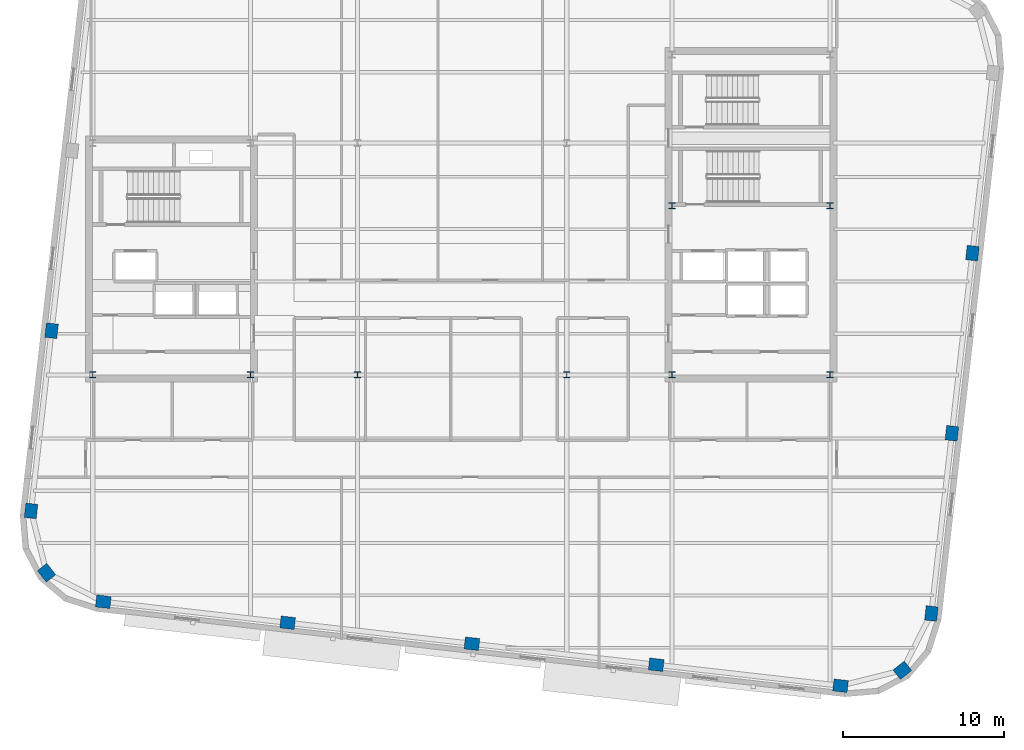
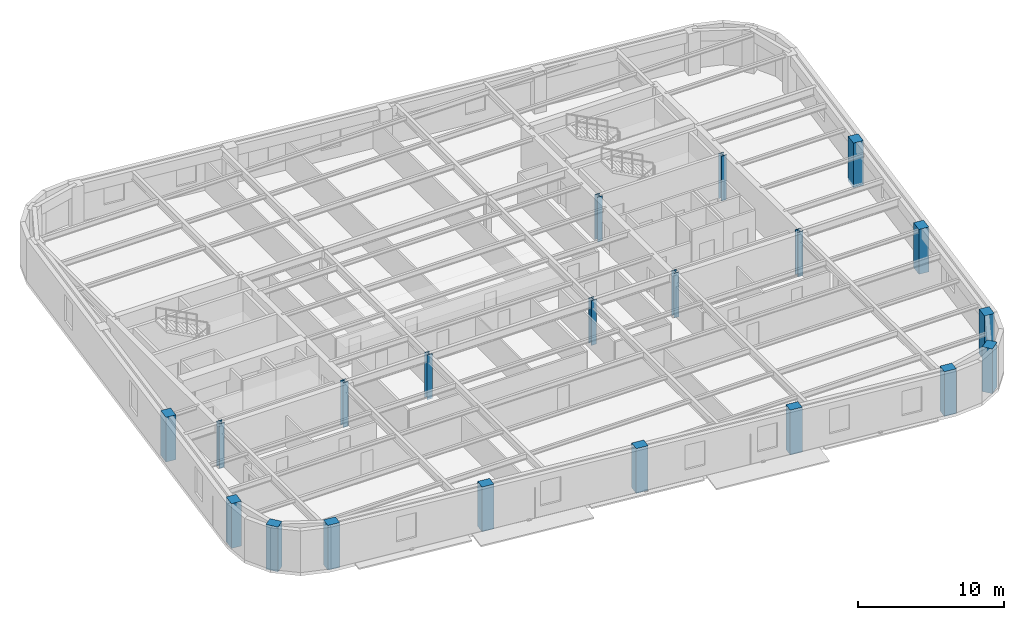
# One storey, part 1 of 13: 20 columns.
"""IFC4 building model written with IfcOpenShell, lengths in metres."""

from ifc_helpers import new_model, si_unit, direction, frame, origin, origin_2d, place, context, subcontext, project, spatial, rectangle, i_section, extrude, material, material_profile, profile_set, type_object, element, save


model = new_model("IFC4")

# Units and contexts
model_context = context("Model", 3, precision=1e-05, world=origin(), true_north=direction((0.0, 1.0)))
body_context = subcontext(model_context, "Body", "Model", "MODEL_VIEW")
ifc_project = project(units=[si_unit("LENGTHUNIT", "METRE"), si_unit("AREAUNIT", "SQUARE_METRE"), si_unit("VOLUMEUNIT", "CUBIC_METRE"), si_unit("PLANEANGLEUNIT", "RADIAN"), si_unit("MASSUNIT", "GRAM", prefix="KILO")], contexts=[model_context])

# Site, building, storey
site_placement = place(None, origin())
site = spatial("IfcSite", under=ifc_project, at=site_placement, CompositionType="ELEMENT")
building_placement = place(site_placement, origin())
building = spatial("IfcBuilding", under=site, at=building_placement, Name="Kolvaren Arena Tower", CompositionType="ELEMENT")
storey_placement = place(building_placement, frame((0.0, 0.0, 243.449951171875)))
storey = spatial("IfcBuildingStorey", under=building, at=storey_placement, Name="L59", CompositionType="ELEMENT", Elevation=243.449951171875)

# Columns
ifc_material_1 = material(Name="Precast concrete C55/67", Category="concrete")
ifc_material_profile_1 = material_profile(ifc_material_1, rectangle(XDim=0.89990234375, YDim=0.75, at=origin_2d()), Name="RC-900x750")
ifc_profile_set_1 = profile_set([ifc_material_profile_1], Name="Precast concrete C55/67")
column_type_1 = type_object("IfcColumnType", Name="EXCOL-Z4", PredefinedType="COLUMN", material=ifc_profile_set_1)
for number, where, z_axis, x_axis, name in (
    (1, (15.207763671875, 5.350830078125, -0.27001953125), (0.0, 0.0, 1.0), (0.993571855677, -0.113203213768, 0.0), "Exoskeleton Perimeter Column 01 (L59)"),
    (2, (26.65869140625, 4.046142578125, -0.27001953125), (0.0, 0.0, 1.0), (0.993571855677, -0.113203213768, 0.0), "Exoskeleton Perimeter Column 02 (L59)"),
    (3, (38.109619140625, 2.741455078125, -0.27001953125), (0.0, 0.0, 1.0), (0.993571855677, -0.113203213768, 0.0), "Exoskeleton Perimeter Column 03 (L59)"),
    (4, (49.560302734375, 1.436767578125, -0.27001953125), (0.0, 0.0, 1.0), (0.993571855677, -0.113203213768, 0.0), "Exoskeleton Perimeter Column 04 (L59)"),
    (5, (61.011474609375, 0.132080078125, -0.27001953125), (0.0, 0.0, 1.0), (0.993571855677, -0.113203213768, 0.0), "Exoskeleton Perimeter Column 05 (L59)"),
    (6, (64.853759765625, 1.094482421875, -0.27001953125), (0.0, 0.0, 1.0), (0.782608156852, 0.622514636638, 0.0), "Exoskeleton Perimeter Column 06 (L59)"),
    (7, (66.656005859375, 4.6220703125, -0.27001953125), (0.0, 0.0, 1.0), (0.113203213768, 0.993571855677, 0.0), "Exoskeleton Perimeter Column 07 (L59)"),
    (8, (67.931396484375, 15.816162109375, -0.27001953125), (0.0, 0.0, 1.0), (0.113203213768, 0.993571855677, 0.0), "Exoskeleton Perimeter Column 08 (L59)"),
    (9, (69.206787109375, 27.010498046875, -0.27001953125), (0.0, 0.0, 1.0), (0.113203213768, 0.993571855677, 0.0), "Exoskeleton Perimeter Column 09 (L59)"),
    (10, (11.9931640625, 22.189453125, -0.27001953125), (0.0, 0.0, 1.0), (0.113203213768, 0.993571855677, 0.0), "Exoskeleton Perimeter Column 20 (L59)"),
    (11, (10.7177734375, 10.995361328125, -0.27001953125), (0.0, 0.0, 1.0), (0.113203213768, 0.993571855677, 0.0), "Exoskeleton Perimeter Column 21 (L59)"),
    (12, (11.680419921875, 7.15283203125, -0.27001953125), (0.0, 0.0, 1.0), (-0.622514636638, 0.782608156852, 0.0), "Exoskeleton Perimeter Column 22 (L59)"),
):
    element("IfcColumn", number, at=place(storey_placement, frame(where, z_axis=z_axis, x_axis=x_axis)), inside=storey, type_object=column_type_1, Name=name, PredefinedType="COLUMN", context=body_context, shape_type="SweptSolid", body=[
        extrude(rectangle(XDim=0.89990234375, YDim=0.75, at=origin_2d()), origin(), (0.0, 0.0, 1.0), 3.75),
    ])
ifc_material_2 = material(Name="Steel ASTM A913 Grade 65", Category="steel")
ifc_material_profile_2 = material_profile(ifc_material_2, i_section(OverallWidth=0.39892578125, OverallDepth=0.39306640625, WebThickness=0.022705078125, FlangeThickness=0.03662109375, FilletRadius=0.02001953125, at=origin_2d()), Name="W360x287")
ifc_profile_set_2 = profile_set([ifc_material_profile_2], Name="Steel ASTM A913 Grade 65")
column_type_2 = type_object("IfcColumnType", Name="SCOL-Z4", PredefinedType="COLUMN", material=ifc_profile_set_2)
for number, where, z_axis, x_axis, name in (
    (13, (14.550048828125, 19.449951171875, -0.27001953125), (0.0, 0.0, 1.0), (1.0, 0.0, 0.0), "Core Boundary Column WC-SW (L59)"),
    (14, (24.35009765625, 19.449951171875, -0.27001953125), (0.0, 0.0, 1.0), (1.0, 0.0, 0.0), "Core Boundary Column WC-SE (L59)"),
    (15, (50.550048828125, 19.449951171875, -0.27001953125), (0.0, 0.0, 1.0), (1.0, 0.0, 0.0), "Core Boundary Column EC-SW (L59)"),
    (16, (60.35009765625, 19.449951171875, -0.27001953125), (0.0, 0.0, 1.0), (1.0, 0.0, 0.0), "Core Boundary Column EC-SE (L59)"),
    (17, (50.550048828125, 29.949951171875, -0.27001953125), (0.0, 0.0, 1.0), (1.0, 0.0, 0.0), "Core Boundary Column EC-MW (L59)"),
    (18, (60.35009765625, 29.949951171875, -0.27001953125), (0.0, 0.0, 1.0), (1.0, 0.0, 0.0), "Core Boundary Column EC-ME (L59)"),
    (19, (31.0, 19.449951171875, -0.27001953125), (0.0, 0.0, 1.0), (1.0, 0.0, 0.0), "Interior Gravity Column TC-SW (L59)"),
    (20, (44.0, 19.449951171875, -0.27001953125), (0.0, 0.0, 1.0), (1.0, 0.0, 0.0), "Interior Gravity Column TC-SE (L59)"),
):
    element("IfcColumn", number, at=place(storey_placement, frame(where, z_axis=z_axis, x_axis=x_axis)), inside=storey, type_object=column_type_2, Name=name, PredefinedType="COLUMN", context=body_context, shape_type="SweptSolid", body=[
        extrude(i_section(OverallWidth=0.39892578125, OverallDepth=0.39306640625, WebThickness=0.022705078125, FlangeThickness=0.03662109375, FilletRadius=0.02001953125, at=origin_2d()), origin(), (0.0, 0.0, 1.0), 3.75),
    ])

save(model, "model.ifc")
